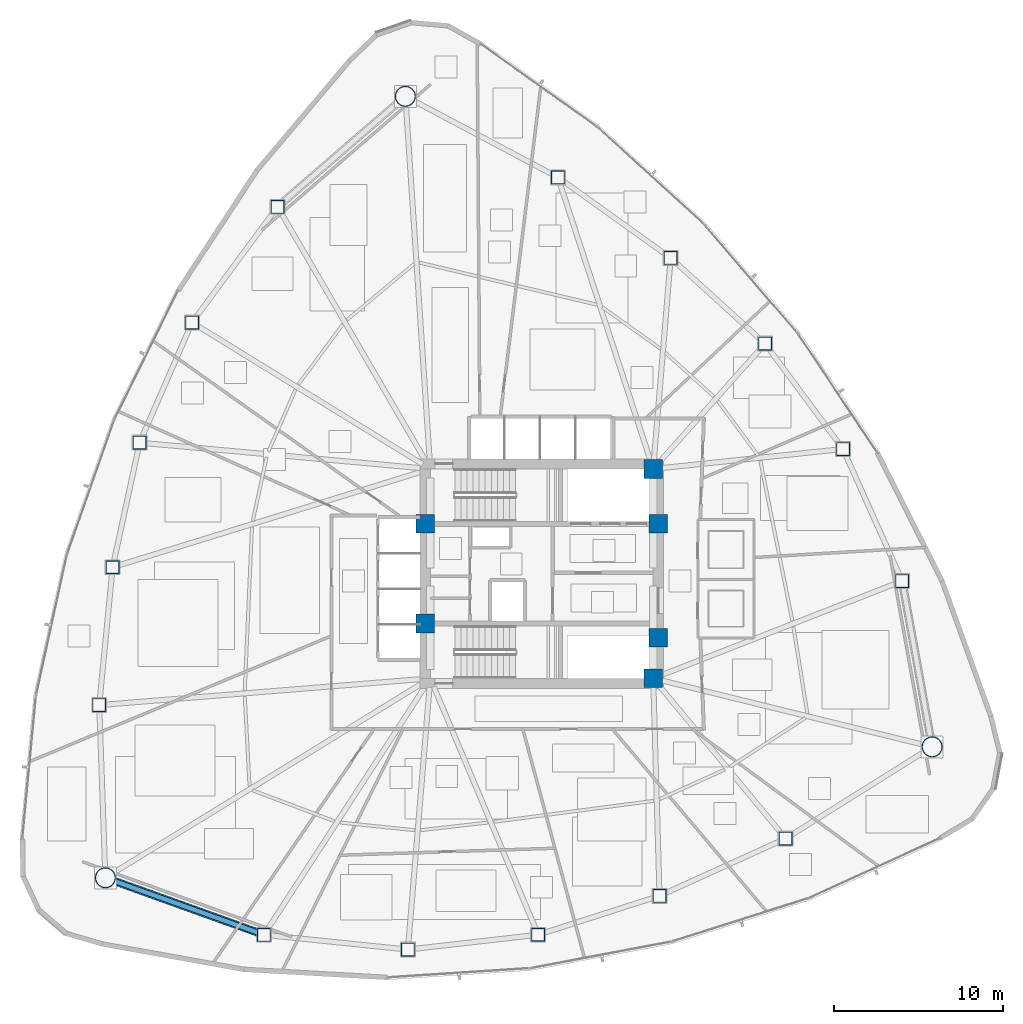
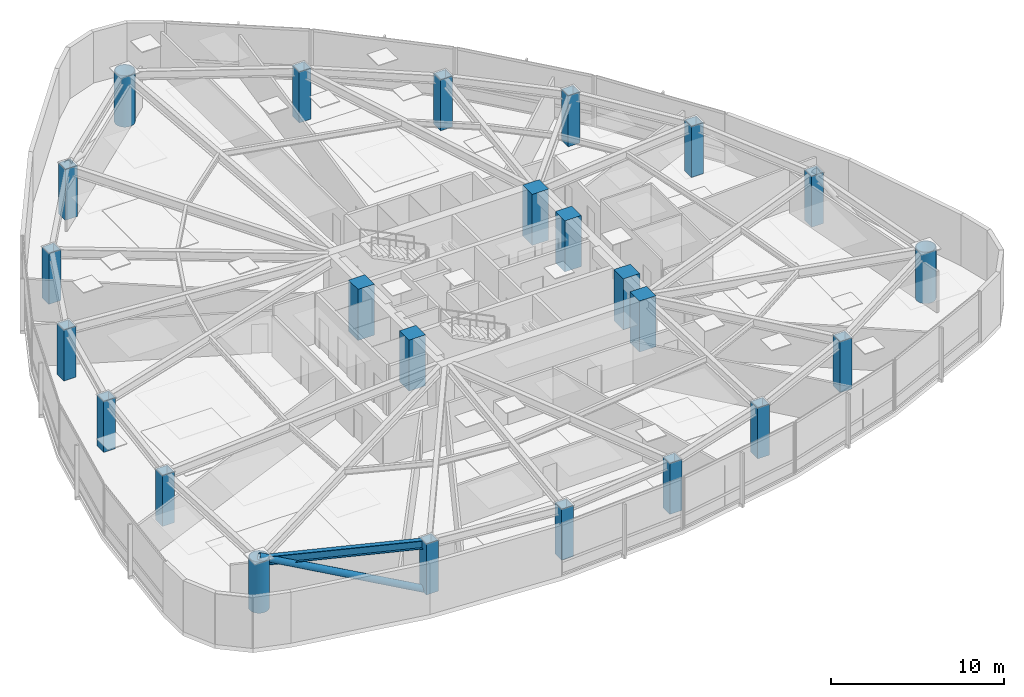
# One storey, part 1 of 18: 24 columns, 1 beam, 1 member.
"""IFC4 building model written with IfcOpenShell, lengths in metres."""

import ifcopenshell
import ifcopenshell.guid

model = None  # the IFC model being written
_history = None  # IfcOwnerHistory: only IFC2X3 demands one
_inside = {}  # id of a spatial element -> (the spatial element, [elements in it])
_under = {}  # id of a project, library or spatial element -> (it, [spatial elements below it])
_declared = {}  # id of a project -> (the project, [libraries it declares])
_typed = {}  # id of a type object -> (the type object, [elements of that type])
_made_of = {}  # id of a material, layer set ... -> (it, [elements and type objects made of it])


def new_model(schema):
    """Start an empty IFC model of exactly this schema.

    Asked for "IFC4X3", IfcOpenShell would pick the latest addendum, in which some entities
    have other attributes; the version numbers below select the first issue.
    IFC2X3 requires an IfcOwnerHistory on every rooted entity: one is made here for all.
    """
    global model, _history
    if schema == "IFC4X3":
        model = ifcopenshell.file(schema_version=(4, 3, 0, 0))
    else:
        model = ifcopenshell.file(schema=schema)
    _inside.clear()
    _under.clear()
    _declared.clear()
    _typed.clear()
    _made_of.clear()
    _history = None
    if model.schema == "IFC2X3":
        org = make("IfcOrganization", Name="unknown")
        user = make(
            "IfcPersonAndOrganization",
            ThePerson=make("IfcPerson", FamilyName="unknown"),
            TheOrganization=org,
        )
        app = make(
            "IfcApplication",
            ApplicationDeveloper=org,
            Version="unknown",
            ApplicationFullName="unknown",
            ApplicationIdentifier="unknown",
        )
        _history = make(
            "IfcOwnerHistory",
            OwningUser=user,
            OwningApplication=app,
            ChangeAction="ADDED",
            CreationDate=0,
        )
    return model


def make(cls, **values):
    """One entity of the class cls with the attributes given. An attribute that is None is left unset."""
    return model.create_entity(
        cls, **{name: value for name, value in values.items() if value is not None}
    )


def rooted(cls, **values):
    """An entity with a GlobalId (a new one), such as an element, a storey or a relation."""
    return make(cls, GlobalId=ifcopenshell.guid.new(), OwnerHistory=_history, **values)


def si_unit(unit_type, name, prefix=None):
    """IfcSIUnit, for example si_unit("LENGTHUNIT", "METRE", prefix="MILLI")."""
    return make("IfcSIUnit", UnitType=unit_type, Prefix=prefix, Name=name)


def assignment(units):
    """IfcUnitAssignment: the units of a project."""
    return None if units is None else make("IfcUnitAssignment", Units=units)


def point(xyz):
    """IfcCartesianPoint."""
    return None if xyz is None else make("IfcCartesianPoint", Coordinates=xyz)


def direction(xyz):
    """IfcDirection."""
    return None if xyz is None else make("IfcDirection", DirectionRatios=xyz)


def frame(location, z_axis=None, x_axis=None):
    """IfcAxis2Placement3D, a coordinate frame: its origin and axes. An axis left out is left unset."""
    return make(
        "IfcAxis2Placement3D",
        Location=point(location),
        Axis=direction(z_axis),
        RefDirection=direction(x_axis),
    )


def frame_2d(location, x_axis=None):
    """IfcAxis2Placement2D, a coordinate frame in the plane: its origin and x axis."""
    return make(
        "IfcAxis2Placement2D", Location=point(location), RefDirection=direction(x_axis)
    )


def origin():
    """The frame at (0, 0, 0) with its axes left unset."""
    return frame((0.0, 0.0, 0.0))


def origin_2d():
    """The frame at (0, 0) in the plane with its x axis left unset."""
    return frame_2d((0.0, 0.0))


def place(relative_to, where):
    """IfcLocalPlacement: puts the frame where relative to a parent placement (None: the world)."""
    return make(
        "IfcLocalPlacement", PlacementRelTo=relative_to, RelativePlacement=where
    )


def context(
    kind, dimensions, precision=None, world=None, true_north=None, identifier=None
):
    """IfcGeometricRepresentationContext, for example the 3D "Model" context."""
    return make(
        "IfcGeometricRepresentationContext",
        ContextIdentifier=identifier,
        ContextType=kind,
        CoordinateSpaceDimension=dimensions,
        Precision=precision,
        WorldCoordinateSystem=world,
        TrueNorth=true_north,
    )


def subcontext(parent, identifier, kind, view, scale=None):
    """IfcGeometricRepresentationSubContext, for example "Body" below "Model"."""
    return make(
        "IfcGeometricRepresentationSubContext",
        ContextIdentifier=identifier,
        ContextType=kind,
        ParentContext=parent,
        TargetScale=scale,
        TargetView=view,
    )


def project(units=None, contexts=None):
    """IfcProject with its units and contexts."""
    return rooted(
        "IfcProject",
        Name="project",
        RepresentationContexts=contexts,
        UnitsInContext=assignment(units),
    )


def spatial(cls, under=None, at=None, **own):
    """A site, building, storey or space (cls), placed at a placement, below another one or the project."""
    s = rooted(cls, ObjectPlacement=at, **own)
    if under is not None:
        _under.setdefault(under.id(), (under, []))[1].append(s)
    return s


def profile(cls, at=None, kind="AREA", **sizes):
    """A parametric profile (cls). Its sizes go by their IFC names, for example OverallWidth=200.0."""
    return make(cls, ProfileType=kind, Position=at, **sizes)


def rectangle(**sizes):
    """IfcRectangleProfileDef."""
    return profile("IfcRectangleProfileDef", **sizes)


def hollow_rectangle(**sizes):
    """IfcRectangleHollowProfileDef."""
    return profile("IfcRectangleHollowProfileDef", **sizes)


def hollow_circle(**sizes):
    """IfcCircleHollowProfileDef."""
    return profile("IfcCircleHollowProfileDef", **sizes)


def i_section(**sizes):
    """IfcIShapeProfileDef."""
    return profile("IfcIShapeProfileDef", **sizes)


def extrude(swept, where, along, depth):
    """IfcExtrudedAreaSolid: the profile swept, set in the frame where, extruded along a direction by depth."""
    return make(
        "IfcExtrudedAreaSolid",
        SweptArea=swept,
        Position=where,
        ExtrudedDirection=direction(along),
        Depth=depth,
    )


def shape(context_of_items, identifier, shape_type, items):
    """IfcShapeRepresentation: the items that make up one representation, for example the "Body"."""
    return make(
        "IfcShapeRepresentation",
        ContextOfItems=context_of_items,
        RepresentationIdentifier=identifier,
        RepresentationType=shape_type,
        Items=items,
    )


def material(Name=None, Category=None):
    """IfcMaterial."""
    return make("IfcMaterial", Name=Name, Category=Category)


def material_profile(
    of_material, cross_section, Name=None, Category=None, Priority=None
):
    """IfcMaterialProfile: a cross section and its material."""
    return make(
        "IfcMaterialProfile",
        Name=Name,
        Material=of_material,
        Profile=cross_section,
        Priority=Priority,
        Category=Category,
    )


def profile_set(profiles, Name=None, composite=None):
    """IfcMaterialProfileSet."""
    return make(
        "IfcMaterialProfileSet",
        Name=Name,
        MaterialProfiles=profiles,
        CompositeProfile=composite,
    )


def made_of(thing, what):
    """Note that an element or type object is made of a material, layer set ...; save() writes the relation."""
    if what is not None:
        _made_of.setdefault(what.id(), (what, []))[1].append(thing)
    return thing


def type_object(cls, material=None, **own):
    """A type object (cls), such as IfcWallType, which elements share."""
    return made_of(rooted(cls, **own), material)


def element(
    cls,
    number,
    at=None,
    inside=None,
    cuts=None,
    type_object=None,
    material=None,
    context=None,
    identifier="Body",
    shape_type=None,
    held_by="IfcProductDefinitionShape",
    body=None,
    shapes=None,
    **own,
):
    """One element of the class cls, such as IfcWall. Its Tag is "e" and its number.

    at: its placement. inside: the storey or other place that contains it. cuts: it is an
    opening in that element (IfcRelVoidsElement). A single representation is given by context,
    identifier, shape_type and body (its items); several are given by shapes. held_by: the class
    of the entity that holds the representations. save() writes the other relations.
    """
    e = rooted(cls, Tag="e%d" % number, ObjectPlacement=at, **own)
    if body is not None:
        shapes = [shape(context, identifier, shape_type, body)]
    if shapes is not None:
        e.Representation = make(held_by, Representations=shapes)
    if inside is not None:
        _inside.setdefault(inside.id(), (inside, []))[1].append(e)
    if cuts is not None:
        rooted(
            "IfcRelVoidsElement", RelatingBuildingElement=cuts, RelatedOpeningElement=e
        )
    if type_object is not None:
        _typed.setdefault(type_object.id(), (type_object, []))[1].append(e)
    return made_of(e, material)


def aggregate(whole, parts):
    """IfcRelAggregates: a whole, such as a stair, and the parts it consists of."""
    return rooted("IfcRelAggregates", RelatingObject=whole, RelatedObjects=parts)


def save(model, path):
    """Write the relations noted so far, then the file.

    IfcRelAggregates (storeys below a building ...), IfcRelContainedInSpatialStructure (elements
    in a storey), IfcRelDefinesByType, IfcRelAssociatesMaterial and IfcRelDeclares: one each for
    every whole, place, type object, material and project.
    """
    for whole, parts in _under.values():
        aggregate(whole, parts)
    for where, things in _inside.values():
        rooted(
            "IfcRelContainedInSpatialStructure",
            RelatedElements=things,
            RelatingStructure=where,
        )
    for kind, things in _typed.values():
        rooted("IfcRelDefinesByType", RelatedObjects=things, RelatingType=kind)
    for what, things in _made_of.values():
        rooted("IfcRelAssociatesMaterial", RelatedObjects=things, RelatingMaterial=what)
    for by, libraries in _declared.values():
        rooted("IfcRelDeclares", RelatingContext=by, RelatedDefinitions=libraries)
    model.write(path)


model = new_model("IFC4")

# Units and contexts
model_context = context("Model", 3, precision=1e-05, world=origin(), true_north=direction((0.0, 1.0)))
body_context = subcontext(model_context, "Body", "Model", "MODEL_VIEW")
ifc_project = project(units=[si_unit("LENGTHUNIT", "METRE"), si_unit("AREAUNIT", "SQUARE_METRE"), si_unit("VOLUMEUNIT", "CUBIC_METRE"), si_unit("PLANEANGLEUNIT", "RADIAN"), si_unit("MASSUNIT", "GRAM", prefix="KILO")], contexts=[model_context])

# Site, building, storey
site_placement = place(None, origin())
site = spatial("IfcSite", under=ifc_project, at=site_placement, CompositionType="ELEMENT")
building_placement = place(site_placement, origin())
building = spatial("IfcBuilding", under=site, at=building_placement, Name="Tavelor Broadcast Tower", CompositionType="ELEMENT")
storey_placement = place(building_placement, frame((0.0, 0.0, 54.89990234375)))
storey = spatial("IfcBuildingStorey", under=building, at=storey_placement, Name="L12", CompositionType="ELEMENT", Elevation=54.89990234375)

# Columns
ifc_material_1 = material(Name="Concrete C60/75", Category="concrete")
ifc_material_profile_1 = material_profile(ifc_material_1, rectangle(XDim=1.10009765625, YDim=1.10009765625, at=origin_2d()), Name="RC 1100x1100")
ifc_profile_set_1 = profile_set([ifc_material_profile_1], Name="Concrete C60/75")
column_type_1 = type_object("IfcColumnType", Name="Core Embedded Composite Column RC1100", PredefinedType="COLUMN", material=ifc_profile_set_1)
for number, where, z_axis, x_axis, name in (
    (1, (43.10009765625, 47.949951171875, 0.0), (0.0, 0.0, 1.0), (1.0, 0.0, 0.0), "L12 Core Embedded Column 1"),
    (2, (56.89990234375, 47.949951171875, 0.0), (0.0, 0.0, 1.0), (1.0, 0.0, 0.0), "L12 Core Embedded Column 2"),
    (3, (56.60009765625, 51.199951171875, 0.0), (0.0, 0.0, 1.0), (1.0, 0.0, 0.0), "L12 Core Embedded Column 3"),
    (4, (43.10009765625, 42.050048828125, 0.0), (0.0, 0.0, 1.0), (1.0, 0.0, 0.0), "L12 Core Embedded Column 4"),
    (5, (56.89990234375, 41.199951171875, 0.0), (0.0, 0.0, 1.0), (1.0, 0.0, 0.0), "L12 Core Embedded Column 5"),
    (6, (56.60009765625, 38.800048828125, 0.0), (0.0, 0.0, 1.0), (1.0, 0.0, 0.0), "L12 Core Embedded Column 6"),
):
    element("IfcColumn", number, at=place(storey_placement, frame(where, z_axis=z_axis, x_axis=x_axis)), inside=storey, type_object=column_type_1, Name=name, PredefinedType="COLUMN", context=body_context, shape_type="SweptSolid", body=[
        extrude(rectangle(XDim=1.10009765625, YDim=1.10009765625, at=origin_2d()), origin(), (0.0, 0.0, 1.0), 3.60009765625),
    ])
ifc_material_2 = material(Name="Steel S460", Category="steel")
ifc_material_profile_2 = material_profile(ifc_material_2, hollow_rectangle(XDim=0.800048828125, YDim=0.800048828125, WallThickness=0.044921875, at=origin_2d()), Name="SHS 800x800x45")
ifc_profile_set_2 = profile_set([ifc_material_profile_2], Name="Steel S460")
column_type_2 = type_object("IfcColumnType", Name="Perimeter Tube Column T1 SHS 800x800x45", PredefinedType="COLUMN", material=ifc_profile_set_2)
for number, where, z_axis, x_axis, name in (
    (7, (34.356201171875, 66.727783203125, 0.0), (0.0, 0.0, 1.0), (1.0, 0.0, 0.0), "L12 Perimeter Framed-Tube Column 02"),
    (8, (29.292236328125, 59.87158203125, 0.0), (0.0, 0.0, 1.0), (1.0, 0.0, 0.0), "L12 Perimeter Framed-Tube Column 03"),
    (9, (26.189208984375, 52.75830078125, 0.0), (0.0, 0.0, 1.0), (1.0, 0.0, 0.0), "L12 Perimeter Framed-Tube Column 04"),
    (10, (24.58984375, 45.380615234375, 0.0), (0.0, 0.0, 1.0), (1.0, 0.0, 0.0), "L12 Perimeter Framed-Tube Column 05"),
    (11, (23.794677734375, 37.21630859375, 0.0), (0.0, 0.0, 1.0), (1.0, 0.0, 0.0), "L12 Perimeter Framed-Tube Column 06"),
    (12, (33.55078125, 23.615478515625, 0.0), (0.0, 0.0, 1.0), (1.0, 0.0, 0.0), "L12 Perimeter Framed-Tube Column 08"),
    (13, (42.0732421875, 22.740478515625, 0.0), (0.0, 0.0, 1.0), (1.0, 0.0, 0.0), "L12 Perimeter Framed-Tube Column 09"),
    (14, (49.78662109375, 23.617919921875, 0.0), (0.0, 0.0, 1.0), (1.0, 0.0, 0.0), "L12 Perimeter Framed-Tube Column 10"),
    (15, (56.975341796875, 25.92138671875, 0.0), (0.0, 0.0, 1.0), (1.0, 0.0, 0.0), "L12 Perimeter Framed-Tube Column 11"),
    (16, (64.443603515625, 29.31494140625, 0.0), (0.0, 0.0, 1.0), (1.0, 0.0, 0.0), "L12 Perimeter Framed-Tube Column 12"),
    (17, (71.343994140625, 44.564697265625, 0.0), (0.0, 0.0, 1.0), (1.0, 0.0, 0.0), "L12 Perimeter Framed-Tube Column 14"),
    (18, (67.8408203125, 52.382568359375, 0.0), (0.0, 0.0, 1.0), (1.0, 0.0, 0.0), "L12 Perimeter Framed-Tube Column 15"),
    (19, (63.22412109375, 58.623779296875, 0.0), (0.0, 0.0, 1.0), (1.0, 0.0, 0.0), "L12 Perimeter Framed-Tube Column 16"),
    (20, (57.634765625, 63.69775390625, 0.0), (0.0, 0.0, 1.0), (1.0, 0.0, 0.0), "L12 Perimeter Framed-Tube Column 17"),
    (21, (50.9619140625, 68.468505859375, 0.0), (0.0, 0.0, 1.0), (1.0, 0.0, 0.0), "L12 Perimeter Framed-Tube Column 18"),
):
    element("IfcColumn", number, at=place(storey_placement, frame(where, z_axis=z_axis, x_axis=x_axis)), inside=storey, type_object=column_type_2, Name=name, PredefinedType="COLUMN", context=body_context, shape_type="SweptSolid", body=[
        extrude(hollow_rectangle(XDim=0.800048828125, YDim=0.800048828125, WallThickness=0.044921875, at=origin_2d()), origin(), (0.0, 0.0, 1.0), 3.60009765625),
    ])
ifc_material_profile_3 = material_profile(ifc_material_2, hollow_circle(Radius=0.609619140625, WallThickness=0.050048828125, at=origin_2d()), Name="CHS 1219x50")
ifc_profile_set_3 = profile_set([ifc_material_profile_3], Name="Steel S460")
column_type_3 = type_object("IfcColumnType", Name="Tower Mega Column T1 CHS 1219x50", PredefinedType="COLUMN", material=ifc_profile_set_3)
for number, where, z_axis, x_axis, name in (
    (22, (41.923095703125, 73.266357421875, 0.0), (0.0, 0.0, 1.0), (1.0, 0.0, 0.0), "L12 Tower Corner Mega Column 01"),
    (23, (24.1591796875, 26.98974609375, 0.0), (0.0, 0.0, 1.0), (1.0, 0.0, 0.0), "L12 Tower Corner Mega Column 07"),
    (24, (73.117919921875, 34.743896484375, 0.0), (0.0, 0.0, 1.0), (1.0, 0.0, 0.0), "L12 Tower Corner Mega Column 13"),
):
    element("IfcColumn", number, at=place(storey_placement, frame(where, z_axis=z_axis, x_axis=x_axis)), inside=storey, type_object=column_type_3, Name=name, PredefinedType="COLUMN", context=body_context, shape_type="SweptSolid", body=[
        extrude(hollow_circle(Radius=0.609619140625, WallThickness=0.050048828125, at=origin_2d()), origin(), (0.0, 0.0, 1.0), 3.60009765625),
    ])

# Beam
ifc_material_3 = material(Name="Steel S355", Category="steel")
ifc_material_profile_4 = material_profile(ifc_material_3, i_section(OverallWidth=0.300048828125, OverallDepth=0.60009765625, WebThickness=0.015380859375, FlangeThickness=0.030029296875, at=origin_2d()), Name="HEB 600")
ifc_profile_set_4 = profile_set([ifc_material_profile_4], Name="Steel S355")
beam_type = type_object("IfcBeamType", Name="Perimeter Spandrel Beam T1 HEB 600", PredefinedType="SPANDREL", material=ifc_profile_set_4)
beam_placement = place(storey_placement, frame((24.709716796875, 26.7919921875, 3.300048828125), z_axis=(0.941102066303, -0.338122612081, 0.0), x_axis=(0.338122612081, 0.941102066303, 0.0)))
element("IfcBeam", 25, at=beam_placement, inside=storey, type_object=beam_type, Name="L12 Framed-Tube Ring Spandrel 07", PredefinedType="SPANDREL", context=body_context, shape_type="SweptSolid", body=[
    extrude(i_section(OverallWidth=0.300048828125, OverallDepth=0.60009765625, WebThickness=0.015380859375, FlangeThickness=0.030029296875, at=origin_2d()), origin(), (0.0, 0.0, 1.0), 9.010498046875),
])

# Member
ifc_material_profile_5 = material_profile(ifc_material_3, hollow_circle(Radius=0.228515625, WallThickness=0.02001953125, at=origin_2d()), Name="CHS 457x20")
ifc_profile_set_5 = profile_set([ifc_material_profile_5], Name="Steel S355")
member_type = type_object("IfcMemberType", Name="Perimeter Tube Brace T1 CHS 457x20", PredefinedType="BRACE", material=ifc_profile_set_5)
member_placement = place(storey_placement, frame((33.55078125, 23.615478515625, 0.0), z_axis=(-0.885257630536, 0.318060354363, 0.339347224183), x_axis=(-0.338124247145, -0.941101478849, 0.0)))
element("IfcMember", 26, at=member_placement, inside=storey, type_object=member_type, Name="L12 Corner Tube Diagonal Brace 2", PredefinedType="BRACE", context=body_context, shape_type="SweptSolid", body=[
    extrude(hollow_circle(Radius=0.228515625, WallThickness=0.02001953125, at=origin_2d()), origin(), (0.0, 0.0, 1.0), 10.60888671875),
])

save(model, "model.ifc")
